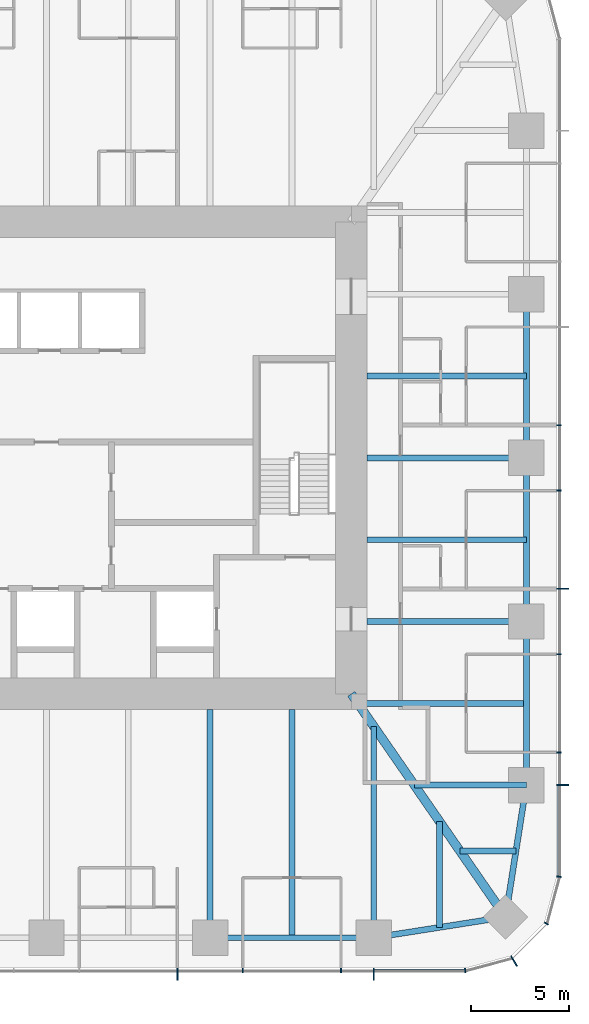
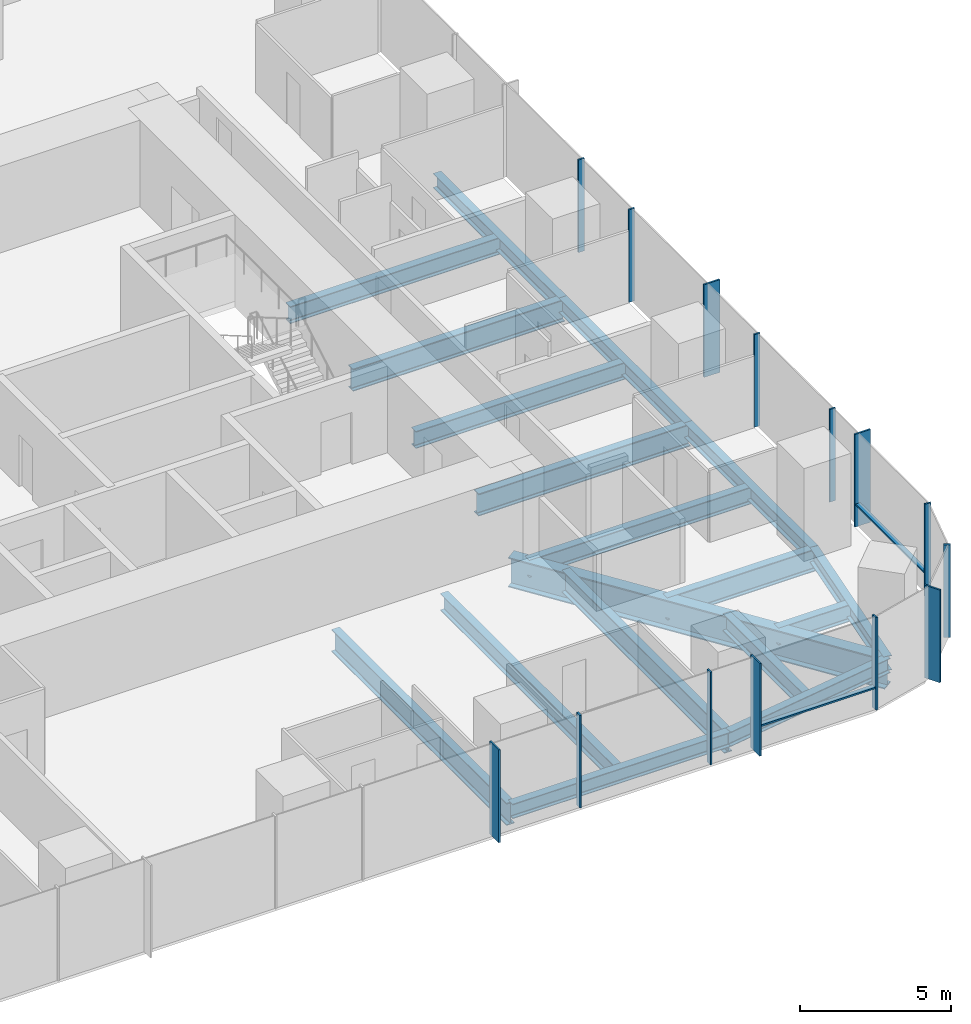
# One storey, part 4 of 12: 18 beams, 16 members, 3 elements without a shape of their own.
"""IFC4 building model written with IfcOpenShell, lengths in metres."""

from ifc_helpers import new_model, si_unit, direction, frame, origin, origin_2d, place, context, subcontext, project, spatial, rectangle, i_section, extrude, material, material_profile, profile_set, type_object, element, aggregate, save


model = new_model("IFC4")

# Units and contexts
model_context = context("Model", 3, precision=1e-05, world=origin(), true_north=direction((0.0, 1.0)))
body_context = subcontext(model_context, "Body", "Model", "MODEL_VIEW")
ifc_project = project(units=[si_unit("LENGTHUNIT", "METRE"), si_unit("AREAUNIT", "SQUARE_METRE"), si_unit("VOLUMEUNIT", "CUBIC_METRE"), si_unit("PLANEANGLEUNIT", "RADIAN"), si_unit("MASSUNIT", "GRAM", prefix="KILO")], contexts=[model_context])

# Site, building, storey
site_placement = place(None, origin())
site = spatial("IfcSite", under=ifc_project, at=site_placement, CompositionType="ELEMENT")
building_placement = place(site_placement, origin())
building = spatial("IfcBuilding", under=site, at=building_placement, Name="Khuree Lantern Residences", CompositionType="ELEMENT")
storey_placement = place(building_placement, frame((0.0, 0.0, 237.0)))
storey = spatial("IfcBuildingStorey", under=building, at=storey_placement, Name="L59", CompositionType="ELEMENT", Elevation=237.0)

# Beams
ifc_material_1 = material(Name="Steel S355", Category="steel")
ifc_material_profile_1 = material_profile(ifc_material_1, i_section(OverallWidth=0.300048828125, OverallDepth=0.68994140625, WebThickness=0.014404296875, FlangeThickness=0.027099609375, FilletRadius=0.027099609375, at=origin_2d()), Name="HE 700 A")
ifc_profile_set_1 = profile_set([ifc_material_profile_1], Name="Steel S355")
beam_type_1 = type_object("IfcBeamType", Name="B-33 SECONDARY BEAM HE 700 A", PredefinedType="BEAM", material=ifc_profile_set_1)
for number, where, z_axis, x_axis, name in (
    (1, (24.39990234375, 4.159912109375, -0.594970703125), (-1.0, 0.0, 0.0), (0.0, -1.0, 0.0), "Secondary beam E3"),
    (2, (24.39990234375, -4.159912109375, -0.594970703125), (-1.0, 0.0, 0.0), (0.0, -1.0, 0.0), "Secondary beam E4"),
):
    element("IfcBeam", number, at=place(storey_placement, frame(where, z_axis=z_axis, x_axis=x_axis)), inside=storey, type_object=beam_type_1, Name=name, PredefinedType="BEAM", context=body_context, shape_type="SweptSolid", body=[
        extrude(i_section(OverallWidth=0.300048828125, OverallDepth=0.68994140625, WebThickness=0.014404296875, FlangeThickness=0.027099609375, FilletRadius=0.027099609375, at=origin_2d()), origin(), (0.0, 0.0, 1.0), 8.099853515625),
    ])
beam_1_placement = place(storey_placement, frame((24.39990234375, -12.47998046875, -0.594970703125), z_axis=(-1.0, 0.0, 0.0), x_axis=(0.0, -1.0, 0.0)))
element("IfcBeam", 3, at=beam_1_placement, inside=storey, type_object=beam_type_1, Name="Secondary beam E5", PredefinedType="BEAM", context=body_context, shape_type="SweptSolid", body=[
    extrude(i_section(OverallWidth=0.300048828125, OverallDepth=0.68994140625, WebThickness=0.014404296875, FlangeThickness=0.027099609375, FilletRadius=0.027099609375, at=origin_2d()), origin(), (0.0, 0.0, 1.0), 8.56787109375),
])
beam_2_placement = place(storey_placement, frame((23.872802734375, -19.992919921875, -0.594970703125), z_axis=(-1.0, 0.0, 0.0), x_axis=(0.0, -1.0, 0.0)))
element("IfcBeam", 4, at=beam_2_placement, inside=storey, type_object=beam_type_1, Name="Secondary beam E6", PredefinedType="BEAM", context=body_context, shape_type="SweptSolid", body=[
    extrude(i_section(OverallWidth=0.300048828125, OverallDepth=0.68994140625, WebThickness=0.014404296875, FlangeThickness=0.027099609375, FilletRadius=0.027099609375, at=origin_2d()), origin(), (0.0, 0.0, 1.0), 2.845703125),
])
beam_3_placement = place(storey_placement, frame((19.992919921875, -23.872802734375, -0.594970703125), z_axis=(0.0, 1.0, 0.0), x_axis=(-1.0, 0.0, 0.0)))
element("IfcBeam", 5, at=beam_3_placement, inside=storey, type_object=beam_type_1, Name="Secondary beam S1", PredefinedType="BEAM", context=body_context, shape_type="SweptSolid", body=[
    extrude(i_section(OverallWidth=0.300048828125, OverallDepth=0.68994140625, WebThickness=0.014404296875, FlangeThickness=0.027099609375, FilletRadius=0.027099609375, at=origin_2d()), origin(), (0.0, 0.0, 1.0), 5.375732421875),
])
beam_4_placement = place(storey_placement, frame((12.47998046875, -24.39990234375, -0.594970703125), z_axis=(0.0, 1.0, 0.0), x_axis=(-1.0, 0.0, 0.0)))
element("IfcBeam", 6, at=beam_4_placement, inside=storey, type_object=beam_type_1, Name="Secondary beam S2", PredefinedType="BEAM", context=body_context, shape_type="SweptSolid", body=[
    extrude(i_section(OverallWidth=0.300048828125, OverallDepth=0.68994140625, WebThickness=0.014404296875, FlangeThickness=0.027099609375, FilletRadius=0.027099609375, at=origin_2d()), origin(), (0.0, 0.0, 1.0), 11.599853515625),
])
ifc_material_profile_2 = material_profile(ifc_material_1, i_section(OverallWidth=0.300048828125, OverallDepth=0.590087890625, WebThickness=0.012939453125, FlangeThickness=0.02490234375, FilletRadius=0.027099609375, at=origin_2d()), Name="HE 600 A")
ifc_profile_set_2 = profile_set([ifc_material_profile_2], Name="Steel S355")
beam_type_2 = type_object("IfcBeamType", Name="E-33 SPANDREL BEAM HE 600 A", PredefinedType="SPANDREL", material=ifc_profile_set_2)
for number, where, z_axis, x_axis, name in (
    (7, (24.39990234375, 8.320068359375, -0.544921875), (0.0, -1.0, 0.0), (1.0, 0.0, 0.0), "Spandrel beam E3"),
    (8, (24.39990234375, 0.0, -0.544921875), (0.0, -1.0, 0.0), (1.0, 0.0, 0.0), "Spandrel beam E4"),
):
    element("IfcBeam", number, at=place(storey_placement, frame(where, z_axis=z_axis, x_axis=x_axis)), inside=storey, type_object=beam_type_2, Name=name, PredefinedType="SPANDREL", context=body_context, shape_type="SweptSolid", body=[
        extrude(i_section(OverallWidth=0.300048828125, OverallDepth=0.590087890625, WebThickness=0.012939453125, FlangeThickness=0.02490234375, FilletRadius=0.027099609375, at=origin_2d()), origin(), (0.0, 0.0, 1.0), 8.320068359375),
    ])
beam_5_placement = place(storey_placement, frame((24.39990234375, -8.320068359375, -0.544921875), z_axis=(0.0, -1.0, 0.0), x_axis=(1.0, 0.0, 0.0)))
element("IfcBeam", 9, at=beam_5_placement, inside=storey, type_object=beam_type_2, Name="Spandrel beam E5", PredefinedType="SPANDREL", context=body_context, shape_type="SweptSolid", body=[
    extrude(i_section(OverallWidth=0.300048828125, OverallDepth=0.590087890625, WebThickness=0.012939453125, FlangeThickness=0.02490234375, FilletRadius=0.027099609375, at=origin_2d()), origin(), (0.0, 0.0, 1.0), 8.31982421875),
])
for number, where, z_axis, x_axis, name in (
    (10, (24.39990234375, -16.639892578125, -0.544921875), (-0.155299507442, -0.98786743189, 0.0), (0.98786743189, -0.155299507442, 0.0), "Spandrel beam E6"),
    (11, (23.345703125, -23.345703125, -0.544921875), (-0.98786743189, -0.155299507442, 0.0), (0.155299507442, -0.98786743189, 0.0), "Spandrel beam S1"),
):
    element("IfcBeam", number, at=place(storey_placement, frame(where, z_axis=z_axis, x_axis=x_axis)), inside=storey, type_object=beam_type_2, Name=name, PredefinedType="SPANDREL", context=body_context, shape_type="SweptSolid", body=[
        extrude(i_section(OverallWidth=0.300048828125, OverallDepth=0.590087890625, WebThickness=0.012939453125, FlangeThickness=0.02490234375, FilletRadius=0.027099609375, at=origin_2d()), origin(), (0.0, 0.0, 1.0), 6.7880859375),
    ])
beam_6_placement = place(storey_placement, frame((16.639892578125, -24.39990234375, -0.544921875), z_axis=(-1.0, 0.0, 0.0), x_axis=(0.0, -1.0, 0.0)))
element("IfcBeam", 12, at=beam_6_placement, inside=storey, type_object=beam_type_2, Name="Spandrel beam S2", PredefinedType="SPANDREL", context=body_context, shape_type="SweptSolid", body=[
    extrude(i_section(OverallWidth=0.300048828125, OverallDepth=0.590087890625, WebThickness=0.012939453125, FlangeThickness=0.02490234375, FilletRadius=0.027099609375, at=origin_2d()), origin(), (0.0, 0.0, 1.0), 8.31982421875),
])

# Curtain wall, member
ifc_material_2 = material(Name="Bronze anodised aluminium", Category="aluminium")
curtain_wall_type_1 = type_object("IfcCurtainWallType", Name="CW-T2 TOWER CORNER CURTAIN WALL", PredefinedType="USERDEFINED", material=ifc_material_2)
curtain_wall_1_placement = place(storey_placement, origin())
curtain_wall_1 = element("IfcCurtainWall", 13, at=curtain_wall_1_placement, inside=storey, type_object=curtain_wall_type_1, Name="L59 SOUTH-EAST CORNER CURTAIN WALL", ObjectType="Faceted corner curtain wall", PredefinedType="USERDEFINED")
ifc_material_profile_3 = material_profile(ifc_material_2, rectangle(XDim=0.06494140625, YDim=0.60009765625, at=origin_2d()), Name="F1 65X600")
ifc_profile_set_3 = profile_set([ifc_material_profile_3], Name="Bronze anodised aluminium")
member_type_1 = type_object("IfcMemberType", Name="F1 BRONZE FIN MULLION TOWER 65X600", PredefinedType="MULLION", material=ifc_profile_set_3)
member_1_placement = place(storey_placement, frame((23.77490234375, -25.5869140625, 0.0), z_axis=(0.0, 0.0, 1.0), x_axis=(0.866025409797, 0.499999989586, 0.0)))
member_1 = element("IfcMember", 14, at=member_1_placement, type_object=member_type_1, Name="L59 SOUTH-EAST CORNER FIN MULLION 2", PredefinedType="MULLION", context=body_context, shape_type="SweptSolid", body=[
    extrude(rectangle(XDim=0.06494140625, YDim=0.60009765625, at=origin_2d()), origin(), (0.0, 0.0, 1.0), 3.75),
])

# Curtain wall, members
curtain_wall_type_2 = type_object("IfcCurtainWallType", Name="CW-T1 TOWER FACE CURTAIN WALL", PredefinedType="USERDEFINED", material=ifc_material_2)
curtain_wall_2_placement = place(storey_placement, origin())
curtain_wall_2 = element("IfcCurtainWall", 15, at=curtain_wall_2_placement, inside=storey, type_object=curtain_wall_type_2, Name="L59 EAST FACE CURTAIN WALL", ObjectType="Stick-built curtain wall", PredefinedType="USERDEFINED")
member_2_placement = place(storey_placement, frame((26.25, -16.639892578125, 0.0), z_axis=(0.0, 0.0, 1.0), x_axis=(0.0, 1.0, 0.0)))
member_2 = element("IfcMember", 16, at=member_2_placement, type_object=member_type_1, Name="L59 EAST FACE FIN MULLION 5", PredefinedType="MULLION", context=body_context, shape_type="SweptSolid", body=[
    extrude(rectangle(XDim=0.06494140625, YDim=0.60009765625, at=origin_2d()), origin(), (0.0, 0.0, 1.0), 3.75),
])
member_3_placement = place(storey_placement, frame((26.25, -6.656005859375, 0.0), z_axis=(0.0, 0.0, 1.0), x_axis=(0.0, 1.0, 0.0)))
member_3 = element("IfcMember", 17, at=member_3_placement, type_object=member_type_1, Name="L59 EAST FACE FIN MULLION 8", PredefinedType="MULLION", context=body_context, shape_type="SweptSolid", body=[
    extrude(rectangle(XDim=0.06494140625, YDim=0.60009765625, at=origin_2d()), origin(), (0.0, 0.0, 1.0), 3.75),
])

curtain_wall_3_placement = place(storey_placement, origin())
curtain_wall_3 = element("IfcCurtainWall", 18, at=curtain_wall_3_placement, inside=storey, type_object=curtain_wall_type_2, Name="L59 SOUTH FACE CURTAIN WALL", ObjectType="Stick-built curtain wall", PredefinedType="USERDEFINED")
member_4_placement = place(storey_placement, frame((6.656005859375, -26.25, 0.0), z_axis=(0.0, 0.0, 1.0), x_axis=(1.0, 0.0, 0.0)))
member_4 = element("IfcMember", 19, at=member_4_placement, type_object=member_type_1, Name="L59 SOUTH FACE FIN MULLION 53", PredefinedType="MULLION", context=body_context, shape_type="SweptSolid", body=[
    extrude(rectangle(XDim=0.06494140625, YDim=0.60009765625, at=origin_2d()), origin(), (0.0, 0.0, 1.0), 3.75),
])
member_5_placement = place(storey_placement, frame((16.639892578125, -26.25, 0.0), z_axis=(0.0, 0.0, 1.0), x_axis=(1.0, 0.0, 0.0)))
member_5 = element("IfcMember", 20, at=member_5_placement, type_object=member_type_1, Name="L59 SOUTH FACE FIN MULLION 56", PredefinedType="MULLION", context=body_context, shape_type="SweptSolid", body=[
    extrude(rectangle(XDim=0.06494140625, YDim=0.60009765625, at=origin_2d()), origin(), (0.0, 0.0, 1.0), 3.75),
])

# Beams
ifc_material_profile_4 = material_profile(ifc_material_1, i_section(OverallWidth=0.300048828125, OverallDepth=0.89990234375, WebThickness=0.0185546875, FlangeThickness=0.034912109375, FilletRadius=0.030029296875, at=origin_2d()), Name="HE 900 B")
ifc_profile_set_4 = profile_set([ifc_material_profile_4], Name="Steel S355")
beam_type_3 = type_object("IfcBeamType", Name="G-33 GIRDER HE 900 B", PredefinedType="BEAM", material=ifc_profile_set_4)
for number, where, z_axis, x_axis, name in (
    (21, (24.39990234375, 0.0, -0.699951171875), (-1.0, 0.0, 0.0), (0.0, -1.0, 0.0), "Girder E3"),
    (22, (24.39990234375, -8.320068359375, -0.699951171875), (-1.0, 0.0, 0.0), (0.0, -1.0, 0.0), "Girder E4"),
):
    element("IfcBeam", number, at=place(storey_placement, frame(where, z_axis=z_axis, x_axis=x_axis)), inside=storey, type_object=beam_type_3, Name=name, PredefinedType="BEAM", context=body_context, shape_type="SweptSolid", body=[
        extrude(i_section(OverallWidth=0.300048828125, OverallDepth=0.89990234375, WebThickness=0.0185546875, FlangeThickness=0.034912109375, FilletRadius=0.030029296875, at=origin_2d()), origin(), (0.0, 0.0, 1.0), 8.099853515625),
    ])
beam_7_placement = place(storey_placement, frame((24.39990234375, -16.639892578125, -0.699951171875), z_axis=(-1.0, 0.0, 0.0), x_axis=(0.0, -1.0, 0.0)))
element("IfcBeam", 23, at=beam_7_placement, inside=storey, type_object=beam_type_3, Name="Girder E5", PredefinedType="BEAM", context=body_context, shape_type="SweptSolid", body=[
    extrude(i_section(OverallWidth=0.300048828125, OverallDepth=0.89990234375, WebThickness=0.0185546875, FlangeThickness=0.034912109375, FilletRadius=0.030029296875, at=origin_2d()), origin(), (0.0, 0.0, 1.0), 5.69140625),
])
beam_8_placement = place(storey_placement, frame((16.639892578125, -24.39990234375, -0.699951171875), z_axis=(0.0, 1.0, 0.0), x_axis=(-1.0, 0.0, 0.0)))
element("IfcBeam", 24, at=beam_8_placement, inside=storey, type_object=beam_type_3, Name="Girder S1", PredefinedType="BEAM", context=body_context, shape_type="SweptSolid", body=[
    extrude(i_section(OverallWidth=0.300048828125, OverallDepth=0.89990234375, WebThickness=0.0185546875, FlangeThickness=0.034912109375, FilletRadius=0.030029296875, at=origin_2d()), origin(), (0.0, 0.0, 1.0), 10.751220703125),
])
beam_9_placement = place(storey_placement, frame((8.320068359375, -24.39990234375, -0.699951171875), z_axis=(0.0, 1.0, 0.0), x_axis=(-1.0, 0.0, 0.0)))
element("IfcBeam", 25, at=beam_9_placement, inside=storey, type_object=beam_type_3, Name="Girder S2", PredefinedType="BEAM", context=body_context, shape_type="SweptSolid", body=[
    extrude(i_section(OverallWidth=0.300048828125, OverallDepth=0.89990234375, WebThickness=0.0185546875, FlangeThickness=0.034912109375, FilletRadius=0.030029296875, at=origin_2d()), origin(), (0.0, 0.0, 1.0), 11.599853515625),
])
ifc_material_profile_5 = material_profile(ifc_material_1, i_section(OverallWidth=0.449951171875, OverallDepth=1.199951171875, WebThickness=0.02490234375, FlangeThickness=0.044921875, at=origin_2d()), Name="WELDED I 1200X450X25X45")
ifc_profile_set_5 = profile_set([ifc_material_profile_5], Name="Steel S355")
beam_type_4 = type_object("IfcBeamType", Name="GD-33 CORNER GIRDER WELDED I 1200X450X25X45", PredefinedType="BEAM", material=ifc_profile_set_5)
beam_10_placement = place(storey_placement, frame((23.345703125, -23.345703125, -0.85009765625), z_axis=(-0.56876813501, 0.822497907959, 0.0), x_axis=(-0.822497907959, -0.56876813501, 0.0)))
element("IfcBeam", 26, at=beam_10_placement, inside=storey, type_object=beam_type_4, Name="Corner girder SE", PredefinedType="BEAM", context=body_context, shape_type="SweptSolid", body=[
    extrude(i_section(OverallWidth=0.449951171875, OverallDepth=1.199951171875, WebThickness=0.02490234375, FlangeThickness=0.044921875, at=origin_2d()), origin(), (0.0, 0.0, 1.0), 13.794189453125),
])

# Member
ifc_material_profile_6 = material_profile(ifc_material_2, rectangle(XDim=0.06494140625, YDim=0.219970703125, at=origin_2d()), Name="M1 65X220")
ifc_profile_set_6 = profile_set([ifc_material_profile_6], Name="Bronze anodised aluminium")
member_type_2 = type_object("IfcMemberType", Name="M1 BRONZE MULLION TOWER 65X220", PredefinedType="MULLION", material=ifc_profile_set_6)
member_6_placement = place(storey_placement, frame((21.294921875, -26.061767578125, 0.0), z_axis=(0.0, 0.0, 1.0), x_axis=(0.991444862943, 0.130526180298, 0.0)))
member_6 = element("IfcMember", 27, at=member_6_placement, type_object=member_type_2, Name="L59 SOUTH-EAST CORNER MULLION 1", PredefinedType="MULLION", context=body_context, shape_type="SweptSolid", body=[
    extrude(rectangle(XDim=0.06494140625, YDim=0.219970703125, at=origin_2d()), origin(), (0.0, 0.0, 1.0), 3.75),
])

member_7_placement = place(storey_placement, frame((25.42236328125, -23.679931640625, 0.0), z_axis=(0.0, 0.0, 1.0), x_axis=(0.499999989586, 0.866025409797, 0.0)))
member_7 = element("IfcMember", 28, at=member_7_placement, type_object=member_type_2, Name="L59 SOUTH-EAST CORNER MULLION 3", PredefinedType="MULLION", context=body_context, shape_type="SweptSolid", body=[
    extrude(rectangle(XDim=0.06494140625, YDim=0.219970703125, at=origin_2d()), origin(), (0.0, 0.0, 1.0), 3.75),
])

aggregate(curtain_wall_1, [member_6, member_1, member_7])

member_8_placement = place(storey_placement, frame((26.061767578125, -21.294921875, 0.0), z_axis=(0.0, 0.0, 1.0), x_axis=(0.130526180298, 0.991444862943, 0.0)))
member_8 = element("IfcMember", 29, at=member_8_placement, type_object=member_type_2, Name="L59 EAST FACE MULLION 4", PredefinedType="MULLION", context=body_context, shape_type="SweptSolid", body=[
    extrude(rectangle(XDim=0.06494140625, YDim=0.219970703125, at=origin_2d()), origin(), (0.0, 0.0, 1.0), 3.75),
])

member_9_placement = place(storey_placement, frame((26.06005859375, -14.97607421875, 0.0), z_axis=(0.0, 0.0, 1.0), x_axis=(0.0, 1.0, 0.0)))
member_9 = element("IfcMember", 30, at=member_9_placement, type_object=member_type_2, Name="L59 EAST FACE MULLION 6", PredefinedType="MULLION", context=body_context, shape_type="SweptSolid", body=[
    extrude(rectangle(XDim=0.06494140625, YDim=0.219970703125, at=origin_2d()), origin(), (0.0, 0.0, 1.0), 3.75),
])

member_10_placement = place(storey_placement, frame((26.06005859375, -9.98388671875, 0.0), z_axis=(0.0, 0.0, 1.0), x_axis=(0.0, 1.0, 0.0)))
member_10 = element("IfcMember", 31, at=member_10_placement, type_object=member_type_2, Name="L59 EAST FACE MULLION 7", PredefinedType="MULLION", context=body_context, shape_type="SweptSolid", body=[
    extrude(rectangle(XDim=0.06494140625, YDim=0.219970703125, at=origin_2d()), origin(), (0.0, 0.0, 1.0), 3.75),
])

member_11_placement = place(storey_placement, frame((26.06005859375, -1.6640625, 0.0), z_axis=(0.0, 0.0, 1.0), x_axis=(0.0, 1.0, 0.0)))
member_11 = element("IfcMember", 32, at=member_11_placement, type_object=member_type_2, Name="L59 EAST FACE MULLION 9", PredefinedType="MULLION", context=body_context, shape_type="SweptSolid", body=[
    extrude(rectangle(XDim=0.06494140625, YDim=0.219970703125, at=origin_2d()), origin(), (0.0, 0.0, 1.0), 3.75),
])

member_12_placement = place(storey_placement, frame((26.06005859375, 1.6640625, 0.0), z_axis=(0.0, 0.0, 1.0), x_axis=(0.0, 1.0, 0.0)))
member_12 = element("IfcMember", 33, at=member_12_placement, type_object=member_type_2, Name="L59 EAST FACE MULLION 10", PredefinedType="MULLION", context=body_context, shape_type="SweptSolid", body=[
    extrude(rectangle(XDim=0.06494140625, YDim=0.219970703125, at=origin_2d()), origin(), (0.0, 0.0, 1.0), 3.75),
])

member_13_placement = place(storey_placement, frame((9.98388671875, -26.06005859375, 0.0), z_axis=(0.0, 0.0, 1.0), x_axis=(1.0, 0.0, 0.0)))
member_13 = element("IfcMember", 34, at=member_13_placement, type_object=member_type_2, Name="L59 SOUTH FACE MULLION 54", PredefinedType="MULLION", context=body_context, shape_type="SweptSolid", body=[
    extrude(rectangle(XDim=0.06494140625, YDim=0.219970703125, at=origin_2d()), origin(), (0.0, 0.0, 1.0), 3.75),
])

member_14_placement = place(storey_placement, frame((14.97607421875, -26.06005859375, 0.0), z_axis=(0.0, 0.0, 1.0), x_axis=(1.0, 0.0, 0.0)))
member_14 = element("IfcMember", 35, at=member_14_placement, type_object=member_type_2, Name="L59 SOUTH FACE MULLION 55", PredefinedType="MULLION", context=body_context, shape_type="SweptSolid", body=[
    extrude(rectangle(XDim=0.06494140625, YDim=0.219970703125, at=origin_2d()), origin(), (0.0, 0.0, 1.0), 3.75),
])

ifc_material_profile_7 = material_profile(ifc_material_2, rectangle(XDim=0.179931640625, YDim=0.06494140625, at=origin_2d()), Name="T1 180X65")
ifc_profile_set_7 = profile_set([ifc_material_profile_7], Name="Bronze anodised aluminium")
member_type_3 = type_object("IfcMemberType", Name="TRANSOM T1 TOWER 180X65", PredefinedType="USERDEFINED", material=ifc_profile_set_7)
member_15_placement = place(storey_placement, frame((26.070068359375, -21.25146484375, 0.89990234375), z_axis=(0.0, 1.0, 0.0), x_axis=(-1.0, 0.0, 0.0)))
member_15 = element("IfcMember", 36, at=member_15_placement, type_object=member_type_3, Name="L59 EAST FACE TRANSOM 4.1", ObjectType="Transom", PredefinedType="USERDEFINED", context=body_context, shape_type="SweptSolid", body=[
    extrude(rectangle(XDim=0.179931640625, YDim=0.06494140625, at=origin_2d()), origin(), (0.0, 0.0, 1.0), 4.578857421875),
])

aggregate(curtain_wall_2, [member_8, member_2, member_9, member_10, member_3, member_11, member_12, member_15])

member_16_placement = place(storey_placement, frame((16.672607421875, -26.070068359375, 0.89990234375), z_axis=(1.0, 0.0, 0.0), x_axis=(0.0, 1.0, 0.0)))
member_16 = element("IfcMember", 37, at=member_16_placement, type_object=member_type_3, Name="L59 SOUTH FACE TRANSOM 56.1", ObjectType="Transom", PredefinedType="USERDEFINED", context=body_context, shape_type="SweptSolid", body=[
    extrude(rectangle(XDim=0.179931640625, YDim=0.06494140625, at=origin_2d()), origin(), (0.0, 0.0, 1.0), 4.578857421875),
])

aggregate(curtain_wall_3, [member_4, member_13, member_14, member_5, member_16])

save(model, "model.ifc")
